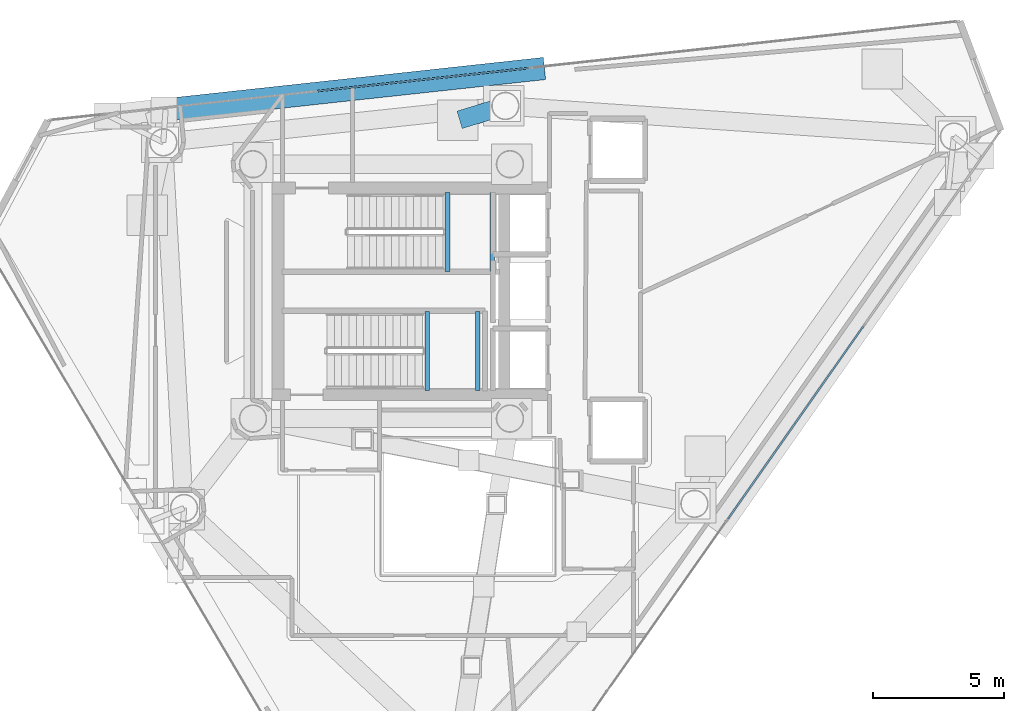
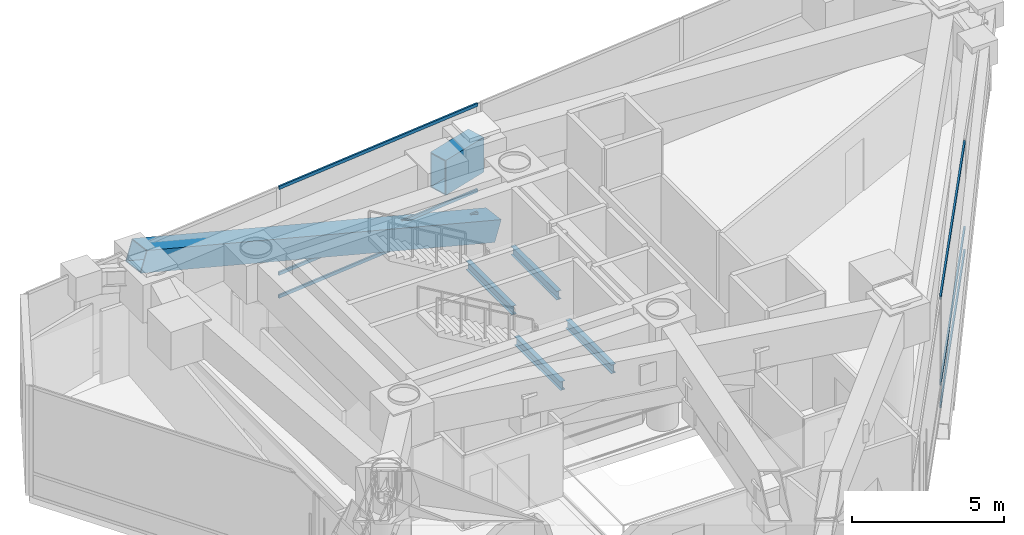
# One storey, part 11 of 21: 7 members, 5 beams, 2 elements without a shape of their own.
"""IFC4 building model written with IfcOpenShell, lengths in metres."""

from ifc_helpers import new_model, si_unit, direction, frame, origin, origin_2d, place, context, subcontext, project, spatial, hollow_rectangle, i_section, extrude, material, layer, layer_set, material_profile, profile_set, type_object, element, aggregate, save


model = new_model("IFC4")

# Units and contexts
model_context = context("Model", 3, precision=1e-05, world=origin(), true_north=direction((0.0, 1.0)))
body_context = subcontext(model_context, "Body", "Model", "MODEL_VIEW")
ifc_project = project(units=[si_unit("LENGTHUNIT", "METRE"), si_unit("AREAUNIT", "SQUARE_METRE"), si_unit("VOLUMEUNIT", "CUBIC_METRE"), si_unit("PLANEANGLEUNIT", "RADIAN"), si_unit("MASSUNIT", "GRAM", prefix="KILO")], contexts=[model_context])

# Site, building, storey
site_placement = place(None, origin())
site = spatial("IfcSite", under=ifc_project, at=site_placement, CompositionType="ELEMENT")
building_placement = place(site_placement, origin())
building = spatial("IfcBuilding", under=site, at=building_placement, Name="Qianvela Tower", CompositionType="ELEMENT")
storey_placement = place(building_placement, frame((0.0, 0.0, 276.0)))
storey = spatial("IfcBuildingStorey", under=building, at=storey_placement, Name="L71", CompositionType="ELEMENT", Elevation=276.0)

# Beams
ifc_material_1 = material(Name="Steel Q355B", Category="steel")
ifc_material_profile_1 = material_profile(ifc_material_1, i_section(OverallWidth=0.175048828125, OverallDepth=0.35009765625, WebThickness=0.007080078125, FlangeThickness=0.010986328125, at=origin_2d()), Name="HN350x175x7x11")
ifc_profile_set_1 = profile_set([ifc_material_profile_1], Name="Steel Q355B")
beam_type_1 = type_object("IfcBeamType", Name="BM-HN350-JOIST", PredefinedType="JOIST", material=ifc_profile_set_1)
for number, where, z_axis, x_axis, name in (
    (1, (36.02001953125, 29.4599609375, 1.925048828125), (0.0, 1.0, 0.0), (-1.0, 0.0, 0.0), "L71 Stair ST-1 Landing Support Beam 1.1"),
    (2, (37.719970703125, 29.4599609375, 1.925048828125), (0.0, 1.0, 0.0), (-1.0, 0.0, 0.0), "L71 Stair ST-1 Landing Support Beam 1.2"),
    (3, (35.239990234375, 24.919921875, 1.925048828125), (0.0, 1.0, 0.0), (-1.0, 0.0, 0.0), "L71 Stair ST-2 Landing Support Beam 1.1"),
    (4, (37.169921875, 24.919921875, 1.925048828125), (0.0, 1.0, 0.0), (-1.0, 0.0, 0.0), "L71 Stair ST-2 Landing Support Beam 1.2"),
):
    element("IfcBeam", number, at=place(storey_placement, frame(where, z_axis=z_axis, x_axis=x_axis)), inside=storey, type_object=beam_type_1, Name=name, PredefinedType="JOIST", context=body_context, shape_type="SweptSolid", body=[
        extrude(i_section(OverallWidth=0.175048828125, OverallDepth=0.35009765625, WebThickness=0.007080078125, FlangeThickness=0.010986328125, at=origin_2d()), origin(), (0.0, 0.0, 1.0), 3.02001953125),
    ])
ifc_material_2 = material(Name="Steel Q420GJC", Category="steel")
ifc_material_profile_2 = material_profile(ifc_material_2, hollow_rectangle(XDim=0.699951171875, YDim=1.39990234375, WallThickness=0.0400390625, at=origin_2d()), Name="TG-BOX-1400x700x40")
ifc_profile_set_2 = profile_set([ifc_material_profile_2], Name="Steel Q420GJC")
beam_type_2 = type_object("IfcBeamType", Name="BM-TG-STEP-1400", PredefinedType="BEAM", material=ifc_profile_set_2)
beam_placement = place(storey_placement, frame((38.22509765625, 35.77294921875, 3.718017578125), z_axis=(-0.957021033784, -0.290018518194, 0.0), x_axis=(0.290018518194, -0.957021033784, 0.0)))
element("IfcBeam", 5, at=beam_placement, inside=storey, type_object=beam_type_2, Name="L71 Zone-Step Transfer Girder 2", PredefinedType="BEAM", context=body_context, shape_type="SweptSolid", body=[
    extrude(hollow_rectangle(XDim=0.699951171875, YDim=1.39990234375, WallThickness=0.0400390625, at=origin_2d()), origin(), (0.0, 0.0, 1.0), 1.82763671875),
])

# Curtain wall, members
ifc_material_3 = material(Name="Anodised Architectural Aluminium and Insulated Spandrel Panel", Category="aluminium")
ifc_layer = layer(ifc_material_3, 0.179931640625)
ifc_layer_set = layer_set([ifc_layer], Name="Anodised Architectural Aluminium and Insulated Spandrel Panel")
curtain_wall_type = type_object("IfcCurtainWallType", Name="CW-BRACEBAY", PredefinedType="USERDEFINED", material=ifc_layer_set)
curtain_wall_1_placement = place(storey_placement, origin())
curtain_wall_1 = element("IfcCurtainWall", 6, at=curtain_wall_1_placement, inside=storey, type_object=curtain_wall_type, Name="L71 CW-BRACEBAY Curtain Wall 02B", ObjectType="CURTAIN_WALL_SYSTEM", PredefinedType="USERDEFINED")
ifc_material_4 = material(Name="Anodised Architectural Aluminium 6063-T6", Category="aluminium")
ifc_material_profile_3 = material_profile(ifc_material_4, hollow_rectangle(XDim=0.06494140625, YDim=0.1298828125, WallThickness=0.00439453125, at=origin_2d()), Name="ALU-TRAN-65x130")
ifc_profile_set_3 = profile_set([ifc_material_profile_3], Name="Anodised Architectural Aluminium 6063-T6")
member_type_1 = type_object("IfcMemberType", Name="CW-BRACEBAY-TRAN", PredefinedType="USERDEFINED", material=ifc_profile_set_3)
member_1_placement = place(storey_placement, frame((39.100341796875, 37.21435546875, 0.032470703125), z_axis=(-0.994138673705, -0.108112429644, 0.0), x_axis=(0.108112429644, -0.994138673705, 0.0)))
member_1 = element("IfcMember", 7, at=member_1_placement, type_object=member_type_1, Name="CW-9 transom 1.1", ObjectType="TRANSOM", PredefinedType="USERDEFINED", context=body_context, shape_type="SweptSolid", body=[
    extrude(hollow_rectangle(XDim=0.06494140625, YDim=0.1298828125, WallThickness=0.00439453125, at=origin_2d()), origin(), (0.0, 0.0, 1.0), 8.07763671875),
])
member_2_placement = place(storey_placement, frame((39.100341796875, 37.21435546875, 0.949951171875), z_axis=(-0.994138673705, -0.108112429644, 0.0), x_axis=(0.108112429644, -0.994138673705, 0.0)))
member_2 = element("IfcMember", 8, at=member_2_placement, type_object=member_type_1, Name="CW-9 transom 1.2", ObjectType="TRANSOM", PredefinedType="USERDEFINED", context=body_context, shape_type="SweptSolid", body=[
    extrude(hollow_rectangle(XDim=0.06494140625, YDim=0.1298828125, WallThickness=0.00439453125, at=origin_2d()), origin(), (0.0, 0.0, 1.0), 8.07763671875),
])
member_3_placement = place(storey_placement, frame((39.100341796875, 37.21435546875, 4.387451171875), z_axis=(-0.994138673705, -0.108112429644, 0.0), x_axis=(0.108112429644, -0.994138673705, 0.0)))
member_3 = element("IfcMember", 9, at=member_3_placement, type_object=member_type_1, Name="CW-9 transom 1.3", ObjectType="TRANSOM", PredefinedType="USERDEFINED", context=body_context, shape_type="SweptSolid", body=[
    extrude(hollow_rectangle(XDim=0.06494140625, YDim=0.1298828125, WallThickness=0.00439453125, at=origin_2d()), origin(), (0.0, 0.0, 1.0), 8.07763671875),
])
aggregate(curtain_wall_1, [member_1, member_2, member_3])

curtain_wall_2_placement = place(storey_placement, origin())
curtain_wall_2 = element("IfcCurtainWall", 10, at=curtain_wall_2_placement, inside=storey, type_object=curtain_wall_type, Name="L71 CW-BRACEBAY Curtain Wall 06B", ObjectType="CURTAIN_WALL_SYSTEM", PredefinedType="USERDEFINED")
member_4_placement = place(storey_placement, frame((46.720458984375, 20.03173828125, 0.032470703125), z_axis=(0.574817271465, 0.818281800131, 0.0), x_axis=(-0.818281800131, 0.574817271465, 0.0)))
member_4 = element("IfcMember", 11, at=member_4_placement, type_object=member_type_1, Name="CW-9 transom 1.1", ObjectType="TRANSOM", PredefinedType="USERDEFINED", context=body_context, shape_type="SweptSolid", body=[
    extrude(hollow_rectangle(XDim=0.06494140625, YDim=0.1298828125, WallThickness=0.00439453125, at=origin_2d()), origin(), (0.0, 0.0, 1.0), 8.955810546875),
])
member_5_placement = place(storey_placement, frame((46.720458984375, 20.03173828125, 0.949951171875), z_axis=(0.574817271465, 0.818281800131, 0.0), x_axis=(-0.818281800131, 0.574817271465, 0.0)))
member_5 = element("IfcMember", 12, at=member_5_placement, type_object=member_type_1, Name="CW-9 transom 1.2", ObjectType="TRANSOM", PredefinedType="USERDEFINED", context=body_context, shape_type="SweptSolid", body=[
    extrude(hollow_rectangle(XDim=0.06494140625, YDim=0.1298828125, WallThickness=0.00439453125, at=origin_2d()), origin(), (0.0, 0.0, 1.0), 8.955810546875),
])
member_6_placement = place(storey_placement, frame((46.720458984375, 20.03173828125, 4.387451171875), z_axis=(0.574817271465, 0.818281800131, 0.0), x_axis=(-0.818281800131, 0.574817271465, 0.0)))
member_6 = element("IfcMember", 13, at=member_6_placement, type_object=member_type_1, Name="CW-9 transom 1.3", ObjectType="TRANSOM", PredefinedType="USERDEFINED", context=body_context, shape_type="SweptSolid", body=[
    extrude(hollow_rectangle(XDim=0.06494140625, YDim=0.1298828125, WallThickness=0.00439453125, at=origin_2d()), origin(), (0.0, 0.0, 1.0), 8.955810546875),
])
aggregate(curtain_wall_2, [member_4, member_5, member_6])

# Member
ifc_material_5 = material(Name="Steel Q420GJC", Category="steel")
ifc_material_profile_4 = material_profile(ifc_material_5, hollow_rectangle(XDim=0.85009765625, YDim=0.85009765625, WallThickness=0.031982421875, at=origin_2d()), Name="MBOX-850x850x32")
ifc_profile_set_4 = profile_set([ifc_material_profile_4], Name="Steel Q420GJC")
member_type_2 = type_object("IfcMemberType", Name="MBR-MBRACE-850", PredefinedType="BRACE", material=ifc_profile_set_4)
member_7_placement = place(storey_placement, frame((39.584228515625, 37.1865234375, -0.60205078125), z_axis=(-0.944689731826, -0.102749507326, 0.31145440971), x_axis=(0.108127658548, -0.994137017446, 0.0)))
element("IfcMember", 14, at=member_7_placement, inside=storey, type_object=member_type_2, Name="L71 Tier 12 Exterior Mega-Brace F1A", PredefinedType="BRACE", context=body_context, shape_type="SweptSolid", body=[
    extrude(hollow_rectangle(XDim=0.85009765625, YDim=0.85009765625, WallThickness=0.031982421875, at=origin_2d()), origin(), (0.0, 0.0, 1.0), 15.154541015625),
])

save(model, "model.ifc")
